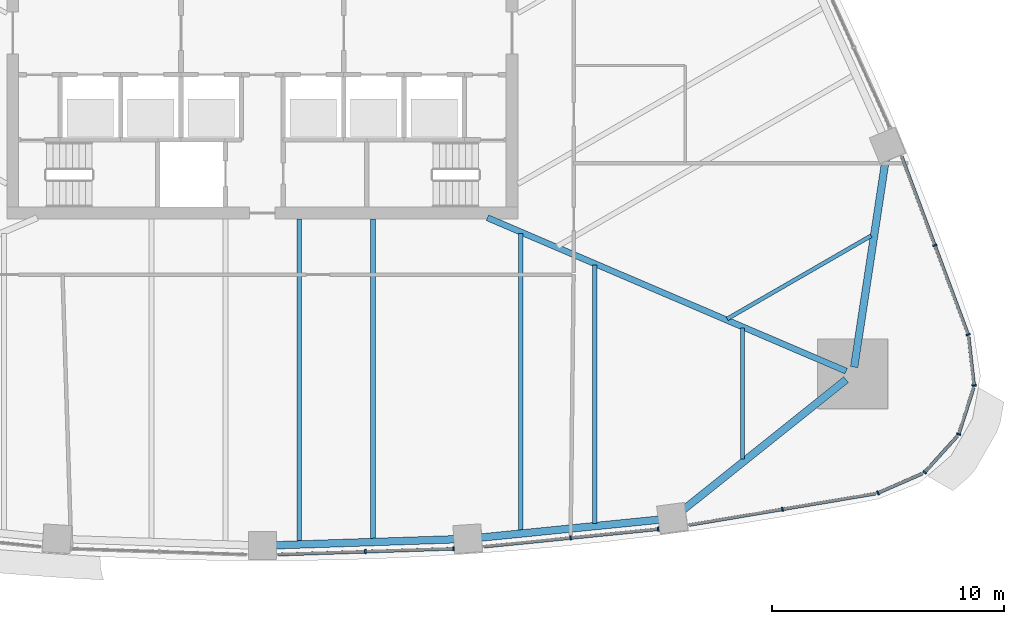
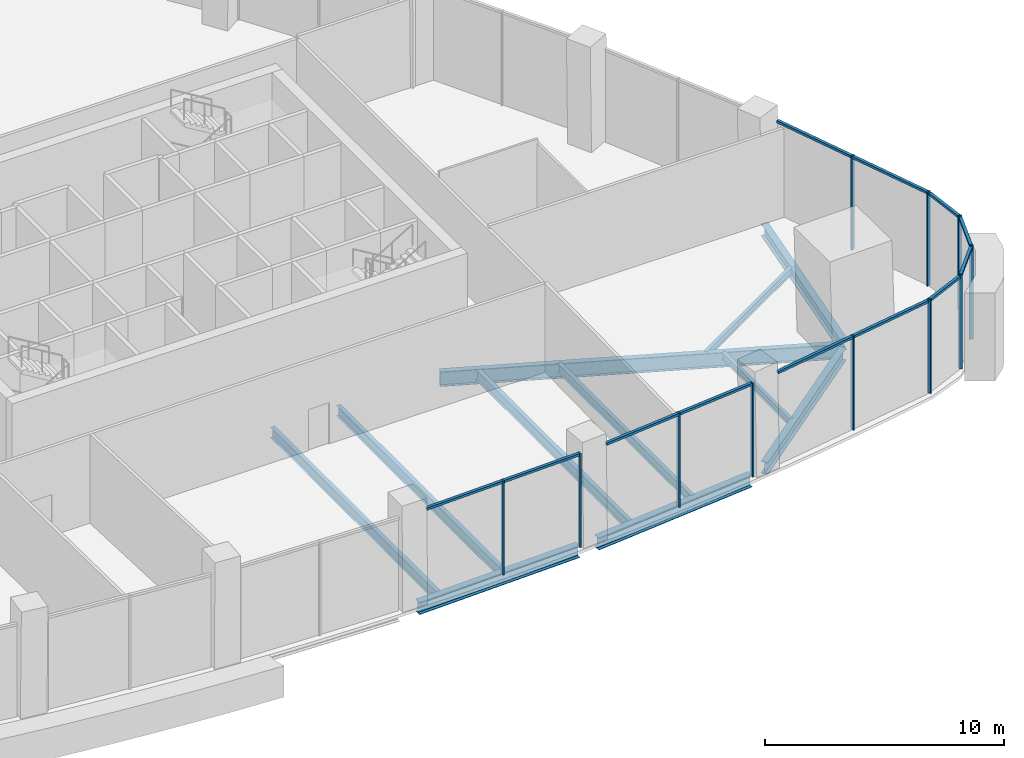
# One storey, part 4 of 16: 23 members, 11 beams, 8 elements without a shape of their own.
"""IFC4 building model written with IfcOpenShell, lengths in metres."""

from ifc_helpers import new_model, si_unit, direction, frame, origin, origin_2d, place, context, subcontext, project, spatial, rectangle, i_section, extrude, material, layer, layer_set, material_profile, profile_set, type_object, element, aggregate, save


model = new_model("IFC4")

# Units and contexts
model_context = context("Model", 3, precision=1e-05, world=origin(), true_north=direction((0.0, 1.0)))
body_context = subcontext(model_context, "Body", "Model", "MODEL_VIEW")
ifc_project = project(units=[si_unit("LENGTHUNIT", "METRE"), si_unit("AREAUNIT", "SQUARE_METRE"), si_unit("VOLUMEUNIT", "CUBIC_METRE"), si_unit("PLANEANGLEUNIT", "RADIAN"), si_unit("MASSUNIT", "GRAM", prefix="KILO")], contexts=[model_context])

# Site, building, storey
site_placement = place(None, origin())
site = spatial("IfcSite", under=ifc_project, at=site_placement, CompositionType="ELEMENT")
building_placement = place(site_placement, origin())
building = spatial("IfcBuilding", under=site, at=building_placement, Name="Sierra Prisma Convention Tower", CompositionType="ELEMENT")
storey_placement = place(building_placement, frame((0.0, 0.0, 107.199951171875)))
storey = spatial("IfcBuildingStorey", under=building, at=storey_placement, Name="L23", CompositionType="ELEMENT", Elevation=107.199951171875)

# Curtain wall, members
ifc_material_1 = material(Name="Aluminium and glass curtain wall", Category="aluminium")
ifc_layer = layer(ifc_material_1, 0.179931640625)
ifc_layer_set = layer_set([ifc_layer], Name="CW-1 Plain shaft curtain wall")
curtain_wall_type = type_object("IfcCurtainWallType", Name="CW-1 Plain shaft curtain wall", PredefinedType="NOTDEFINED", material=ifc_layer_set)
curtain_wall_1_placement = place(storey_placement, origin())
curtain_wall_1 = element("IfcCurtainWall", 1, at=curtain_wall_1_placement, inside=storey, type_object=curtain_wall_type, Name="CW-1 S4 L23", PredefinedType="NOTDEFINED")
ifc_material_2 = material(Name="Aluminium 6063-T6 bronze anodised", Category="aluminium")
ifc_material_profile_1 = material_profile(ifc_material_2, rectangle(XDim=0.179931640625, YDim=0.070068359375, at=origin_2d()), Name="ALU MULLION 70x180")
ifc_profile_set_1 = profile_set([ifc_material_profile_1], Name="Aluminium 6063-T6 bronze anodised")
member_type_1 = type_object("IfcMemberType", Name="CW mullion bronze", PredefinedType="MULLION", material=ifc_profile_set_1)
member_1_placement = place(storey_placement, frame((4.432373046875, -22.324951171875, 0.0), z_axis=(0.0, 0.0, 1.0), x_axis=(-0.033340842002, 0.999444039581, 0.0)))
member_1 = element("IfcMember", 2, at=member_1_placement, type_object=member_type_1, Name="CW-1 mullion S4.2", PredefinedType="MULLION", context=body_context, shape_type="SweptSolid", body=[
    extrude(rectangle(XDim=0.179931640625, YDim=0.070068359375, at=origin_2d()), origin(), (0.0, 0.0, 1.0), 4.800048828125),
])
member_2_placement = place(storey_placement, frame((8.22998046875, -22.1982421875, 0.0), z_axis=(0.0, 0.0, 1.0), x_axis=(-0.033340842002, 0.999444039581, 0.0)))
member_2 = element("IfcMember", 3, at=member_2_placement, type_object=member_type_1, Name="CW-1 mullion S4.3", PredefinedType="MULLION", context=body_context, shape_type="SweptSolid", body=[
    extrude(rectangle(XDim=0.179931640625, YDim=0.070068359375, at=origin_2d()), origin(), (0.0, 0.0, 1.0), 4.800048828125),
])

curtain_wall_2_placement = place(storey_placement, origin())
curtain_wall_2 = element("IfcCurtainWall", 4, at=curtain_wall_2_placement, inside=storey, type_object=curtain_wall_type, Name="CW-1 S5 L23", PredefinedType="NOTDEFINED")
member_3_placement = place(storey_placement, frame((13.27392578125, -21.7353515625, 0.0), z_axis=(0.0, 0.0, 1.0), x_axis=(-0.09987427772, 0.995000064648, 0.0)))
member_3 = element("IfcMember", 5, at=member_3_placement, type_object=member_type_1, Name="CW-1 mullion S5.2", PredefinedType="MULLION", context=body_context, shape_type="SweptSolid", body=[
    extrude(rectangle(XDim=0.179931640625, YDim=0.070068359375, at=origin_2d()), origin(), (0.0, 0.0, 1.0), 4.800048828125),
])
member_4_placement = place(storey_placement, frame((17.03857421875, -21.357421875, 0.0), z_axis=(0.0, 0.0, 1.0), x_axis=(-0.09987427772, 0.995000064648, 0.0)))
member_4 = element("IfcMember", 6, at=member_4_placement, type_object=member_type_1, Name="CW-1 mullion S5.3", PredefinedType="MULLION", context=body_context, shape_type="SweptSolid", body=[
    extrude(rectangle(XDim=0.179931640625, YDim=0.070068359375, at=origin_2d()), origin(), (0.0, 0.0, 1.0), 4.800048828125),
])

# Curtain wall, member
curtain_wall_3_placement = place(storey_placement, origin())
curtain_wall_3 = element("IfcCurtainWall", 7, at=curtain_wall_3_placement, inside=storey, type_object=curtain_wall_type, Name="CW-1 S6 L23", PredefinedType="NOTDEFINED")
member_5_placement = place(storey_placement, frame((22.390625, -20.502685546875, 0.0), z_axis=(0.0, 0.0, 1.0), x_axis=(-0.16596362774, 0.986131874684, 0.0)))
member_5 = element("IfcMember", 8, at=member_5_placement, type_object=member_type_1, Name="CW-1 mullion S6.2", PredefinedType="MULLION", context=body_context, shape_type="SweptSolid", body=[
    extrude(rectangle(XDim=0.179931640625, YDim=0.070068359375, at=origin_2d()), origin(), (0.0, 0.0, 1.0), 4.800048828125),
])

curtain_wall_4_placement = place(storey_placement, origin())
curtain_wall_4 = element("IfcCurtainWall", 9, at=curtain_wall_4_placement, inside=storey, type_object=curtain_wall_type, Name="CW-1 SE1 L23", PredefinedType="NOTDEFINED")
member_6_placement = place(storey_placement, frame((26.50634765625, -19.801513671875, 0.0), z_axis=(0.0, 0.0, 1.0), x_axis=(-0.400315386935, 0.916377428238, 0.0)))
member_6 = element("IfcMember", 10, at=member_6_placement, type_object=member_type_1, Name="CW-1 mullion SE1.1", PredefinedType="MULLION", context=body_context, shape_type="SweptSolid", body=[
    extrude(rectangle(XDim=0.179931640625, YDim=0.070068359375, at=origin_2d()), origin(), (0.0, 0.0, 1.0), 4.800048828125),
])

curtain_wall_5_placement = place(storey_placement, origin())
curtain_wall_5 = element("IfcCurtainWall", 11, at=curtain_wall_5_placement, inside=storey, type_object=curtain_wall_type, Name="CW-1 SE2 L23", PredefinedType="NOTDEFINED")
member_7_placement = place(storey_placement, frame((28.514892578125, -18.908447265625, 0.0), z_axis=(0.0, 0.0, 1.0), x_axis=(-0.741577466527, 0.670867245541, 0.0)))
member_7 = element("IfcMember", 12, at=member_7_placement, type_object=member_type_1, Name="CW-1 mullion SE2.1", PredefinedType="MULLION", context=body_context, shape_type="SweptSolid", body=[
    extrude(rectangle(XDim=0.179931640625, YDim=0.070068359375, at=origin_2d()), origin(), (0.0, 0.0, 1.0), 4.800048828125),
])

curtain_wall_6_placement = place(storey_placement, origin())
curtain_wall_6 = element("IfcCurtainWall", 13, at=curtain_wall_6_placement, inside=storey, type_object=curtain_wall_type, Name="CW-1 SE3 L23", PredefinedType="NOTDEFINED")
member_8_placement = place(storey_placement, frame((29.978759765625, -17.268798828125, 0.0), z_axis=(0.0, 0.0, 1.0), x_axis=(-0.951776810469, 0.306791302116, 0.0)))
member_8 = element("IfcMember", 14, at=member_8_placement, type_object=member_type_1, Name="CW-1 mullion SE3.1", PredefinedType="MULLION", context=body_context, shape_type="SweptSolid", body=[
    extrude(rectangle(XDim=0.179931640625, YDim=0.070068359375, at=origin_2d()), origin(), (0.0, 0.0, 1.0), 4.800048828125),
])

curtain_wall_7_placement = place(storey_placement, origin())
curtain_wall_7 = element("IfcCurtainWall", 15, at=curtain_wall_7_placement, inside=storey, type_object=curtain_wall_type, Name="CW-1 SE4 L23", PredefinedType="NOTDEFINED")
member_9_placement = place(storey_placement, frame((30.639404296875, -15.17236328125, 0.0), z_axis=(0.0, 0.0, 1.0), x_axis=(-0.993763825776, -0.111505419508, 0.0)))
member_9 = element("IfcMember", 16, at=member_9_placement, type_object=member_type_1, Name="CW-1 mullion SE4.1", PredefinedType="MULLION", context=body_context, shape_type="SweptSolid", body=[
    extrude(rectangle(XDim=0.179931640625, YDim=0.070068359375, at=origin_2d()), origin(), (0.0, 0.0, 1.0), 4.800048828125),
])

# Curtain wall, members
curtain_wall_8_placement = place(storey_placement, origin())
curtain_wall_8 = element("IfcCurtainWall", 17, at=curtain_wall_8_placement, inside=storey, type_object=curtain_wall_type, Name="CW-1 NE1 L23", PredefinedType="NOTDEFINED")
member_10_placement = place(storey_placement, frame((30.3857421875, -12.987060546875, 0.0), z_axis=(0.0, 0.0, 1.0), x_axis=(-0.936997068828, -0.349337219615, 0.0)))
member_10 = element("IfcMember", 18, at=member_10_placement, type_object=member_type_1, Name="CW-1 mullion NE1.1", PredefinedType="MULLION", context=body_context, shape_type="SweptSolid", body=[
    extrude(rectangle(XDim=0.179931640625, YDim=0.070068359375, at=origin_2d()), origin(), (0.0, 0.0, 1.0), 4.800048828125),
])
member_11_placement = place(storey_placement, frame((28.951171875, -9.139404296875, 0.0), z_axis=(0.0, 0.0, 1.0), x_axis=(-0.936997068828, -0.349337219615, 0.0)))
member_11 = element("IfcMember", 19, at=member_11_placement, type_object=member_type_1, Name="CW-1 mullion NE1.2", PredefinedType="MULLION", context=body_context, shape_type="SweptSolid", body=[
    extrude(rectangle(XDim=0.179931640625, YDim=0.070068359375, at=origin_2d()), origin(), (0.0, 0.0, 1.0), 4.800048828125),
])

# Member
ifc_material_3 = material(Name="Aluminium 6063-T6 bronze anodised", Category="aluminium")
ifc_material_profile_2 = material_profile(ifc_material_3, rectangle(XDim=0.139892578125, YDim=0.1201171875, at=origin_2d()), Name="ALU TRANSOM 120x140")
ifc_profile_set_2 = profile_set([ifc_material_profile_2], Name="Aluminium 6063-T6 bronze anodised")
member_type_2 = type_object("IfcMemberType", Name="CW transom bronze", PredefinedType="USERDEFINED", material=ifc_profile_set_2)
member_12_placement = place(storey_placement, frame((0.669677734375, -22.450439453125, 4.739990234375), z_axis=(0.999444761664, 0.033319189395, 0.0), x_axis=(-0.033319189395, 0.999444761664, 0.0)))
member_12 = element("IfcMember", 20, at=member_12_placement, type_object=member_type_2, Name="CW-1 transom S4.1", ObjectType="TRANSOM", PredefinedType="USERDEFINED", context=body_context, shape_type="SweptSolid", body=[
    extrude(rectangle(XDim=0.139892578125, YDim=0.1201171875, at=origin_2d()), origin(), (0.0, 0.0, 1.0), 3.7294921875),
])

member_13_placement = place(storey_placement, frame((4.46728515625, -22.32373046875, 4.739990234375), z_axis=(0.999444834329, 0.033317009671, 0.0), x_axis=(-0.033317009671, 0.999444834329, 0.0)))
member_13 = element("IfcMember", 21, at=member_13_placement, type_object=member_type_2, Name="CW-1 transom S4.2", ObjectType="TRANSOM", PredefinedType="USERDEFINED", context=body_context, shape_type="SweptSolid", body=[
    extrude(rectangle(XDim=0.139892578125, YDim=0.1201171875, at=origin_2d()), origin(), (0.0, 0.0, 1.0), 3.729736328125),
])

aggregate(curtain_wall_1, [member_1, member_2, member_12, member_13])

member_14_placement = place(storey_placement, frame((9.5439453125, -22.10986328125, 4.739990234375), z_axis=(0.995001325848, 0.099861712188, 0.0), x_axis=(-0.099861712188, 0.995001325848, 0.0)))
member_14 = element("IfcMember", 22, at=member_14_placement, type_object=member_type_2, Name="CW-1 transom S5.1", ObjectType="TRANSOM", PredefinedType="USERDEFINED", context=body_context, shape_type="SweptSolid", body=[
    extrude(rectangle(XDim=0.139892578125, YDim=0.1201171875, at=origin_2d()), origin(), (0.0, 0.0, 1.0), 3.713623046875),
])

member_15_placement = place(storey_placement, frame((13.30859375, -21.73193359375, 4.739990234375), z_axis=(0.995001325848, 0.099861712188, 0.0), x_axis=(-0.099861712188, 0.995001325848, 0.0)))
member_15 = element("IfcMember", 23, at=member_15_placement, type_object=member_type_2, Name="CW-1 transom S5.2", ObjectType="TRANSOM", PredefinedType="USERDEFINED", context=body_context, shape_type="SweptSolid", body=[
    extrude(rectangle(XDim=0.139892578125, YDim=0.1201171875, at=origin_2d()), origin(), (0.0, 0.0, 1.0), 3.713623046875),
])

aggregate(curtain_wall_2, [member_3, member_4, member_14, member_15])

member_16_placement = place(storey_placement, frame((18.3759765625, -21.178466796875, 4.739990234375), z_axis=(0.986129456837, 0.165977993594, 0.0), x_axis=(-0.165977993594, 0.986129456837, 0.0)))
member_16 = element("IfcMember", 24, at=member_16_placement, type_object=member_type_2, Name="CW-1 transom S6.1", ObjectType="TRANSOM", PredefinedType="USERDEFINED", context=body_context, shape_type="SweptSolid", body=[
    extrude(rectangle(XDim=0.139892578125, YDim=0.1201171875, at=origin_2d()), origin(), (0.0, 0.0, 1.0), 4.0361328125),
])

member_17_placement = place(storey_placement, frame((22.425048828125, -20.496826171875, 4.739990234375), z_axis=(0.986139355539, 0.165919171456, 0.0), x_axis=(-0.165919171456, 0.986139355539, 0.0)))
member_17 = element("IfcMember", 25, at=member_17_placement, type_object=member_type_2, Name="CW-1 transom S6.2", ObjectType="TRANSOM", PredefinedType="USERDEFINED", context=body_context, shape_type="SweptSolid", body=[
    extrude(rectangle(XDim=0.139892578125, YDim=0.1201171875, at=origin_2d()), origin(), (0.0, 0.0, 1.0), 4.0361328125),
])

aggregate(curtain_wall_3, [member_5, member_16, member_17])

member_18_placement = place(storey_placement, frame((26.53857421875, -19.787353515625, 4.739990234375), z_axis=(0.916396419408, 0.400271910701, 0.0), x_axis=(-0.400271910701, 0.916396419408, 0.0)))
member_18 = element("IfcMember", 26, at=member_18_placement, type_object=member_type_2, Name="CW-1 transom SE1.1", ObjectType="TRANSOM", PredefinedType="USERDEFINED", context=body_context, shape_type="SweptSolid", body=[
    extrude(rectangle(XDim=0.139892578125, YDim=0.1201171875, at=origin_2d()), origin(), (0.0, 0.0, 1.0), 2.06103515625),
])

aggregate(curtain_wall_4, [member_6, member_18])

member_19_placement = place(storey_placement, frame((28.538330078125, -18.88232421875, 4.739990234375), z_axis=(0.670925730571, 0.741524553915, 0.0), x_axis=(-0.741524553915, 0.670925730571, 0.0)))
member_19 = element("IfcMember", 27, at=member_19_placement, type_object=member_type_2, Name="CW-1 transom SE2.1", ObjectType="TRANSOM", PredefinedType="USERDEFINED", context=body_context, shape_type="SweptSolid", body=[
    extrude(rectangle(XDim=0.139892578125, YDim=0.1201171875, at=origin_2d()), origin(), (0.0, 0.0, 1.0), 2.06103515625),
])

aggregate(curtain_wall_5, [member_7, member_19])

member_20_placement = place(storey_placement, frame((29.989501953125, -17.2353515625, 4.739990234375), z_axis=(0.306795115776, 0.951775581183, 0.0), x_axis=(-0.951775581183, 0.306795115776, 0.0)))
member_20 = element("IfcMember", 28, at=member_20_placement, type_object=member_type_2, Name="CW-1 transom SE3.1", ObjectType="TRANSOM", PredefinedType="USERDEFINED", context=body_context, shape_type="SweptSolid", body=[
    extrude(rectangle(XDim=0.139892578125, YDim=0.1201171875, at=origin_2d()), origin(), (0.0, 0.0, 1.0), 2.06103515625),
])

aggregate(curtain_wall_6, [member_8, member_20])

member_21_placement = place(storey_placement, frame((30.635498046875, -15.137451171875, 4.739990234375), z_axis=(-0.111471609175, 0.993767618887, 0.0), x_axis=(-0.993767618887, -0.111471609175, 0.0)))
member_21 = element("IfcMember", 29, at=member_21_placement, type_object=member_type_2, Name="CW-1 transom SE4.1", ObjectType="TRANSOM", PredefinedType="USERDEFINED", context=body_context, shape_type="SweptSolid", body=[
    extrude(rectangle(XDim=0.139892578125, YDim=0.1201171875, at=origin_2d()), origin(), (0.0, 0.0, 1.0), 2.06103515625),
])

aggregate(curtain_wall_7, [member_9, member_21])

member_22_placement = place(storey_placement, frame((30.37353515625, -12.9541015625, 4.739990234375), z_axis=(-0.34938604961, 0.936978862268, 0.0), x_axis=(-0.936978862268, -0.34938604961, 0.0)))
member_22 = element("IfcMember", 30, at=member_22_placement, type_object=member_type_2, Name="CW-1 transom NE1.1", ObjectType="TRANSOM", PredefinedType="USERDEFINED", context=body_context, shape_type="SweptSolid", body=[
    extrude(rectangle(XDim=0.139892578125, YDim=0.1201171875, at=origin_2d()), origin(), (0.0, 0.0, 1.0), 4.0361328125),
])

member_23_placement = place(storey_placement, frame((28.93896484375, -9.106689453125, 4.739990234375), z_axis=(-0.349332942615, 0.936998663395, 0.0), x_axis=(-0.936998663395, -0.349332942615, 0.0)))
member_23 = element("IfcMember", 31, at=member_23_placement, type_object=member_type_2, Name="CW-1 transom NE1.2", ObjectType="TRANSOM", PredefinedType="USERDEFINED", context=body_context, shape_type="SweptSolid", body=[
    extrude(rectangle(XDim=0.139892578125, YDim=0.1201171875, at=origin_2d()), origin(), (0.0, 0.0, 1.0), 4.0361328125),
])

aggregate(curtain_wall_8, [member_10, member_11, member_22, member_23])

# Beams
ifc_material_4 = material(Name="Steel ASTM A992 Gr 50", Category="steel")
ifc_material_profile_3 = material_profile(ifc_material_4, i_section(OverallWidth=0.172119140625, OverallDepth=0.35791015625, WebThickness=0.0078125, FlangeThickness=0.01318359375, at=origin_2d()), Name="W360x57")
ifc_profile_set_3 = profile_set([ifc_material_profile_3], Name="Steel ASTM A992 Gr 50")
beam_type_1 = type_object("IfcBeamType", Name="Floor joist W360x57", PredefinedType="JOIST", material=ifc_profile_set_3)
beam_1_placement = place(storey_placement, frame((20.6650390625, -18.336181640625, -0.328857421875), z_axis=(0.0, 1.0, 0.0), x_axis=(-1.0, 0.0, 0.0)))
element("IfcBeam", 32, at=beam_1_placement, inside=storey, type_object=beam_type_1, Name="Floor joist L23 S15", PredefinedType="JOIST", context=body_context, shape_type="SweptSolid", body=[
    extrude(i_section(OverallWidth=0.172119140625, OverallDepth=0.35791015625, WebThickness=0.0078125, FlangeThickness=0.01318359375, at=origin_2d()), origin(), (0.0, 0.0, 1.0), 5.63330078125),
])
beam_2_placement = place(storey_placement, frame((26.2119140625, -8.728271484375, -0.328857421875), z_axis=(-0.866010118182, -0.500026474506, 0.0), x_axis=(0.500026474506, -0.866010118182, 0.0)))
element("IfcBeam", 33, at=beam_2_placement, inside=storey, type_object=beam_type_1, Name="Floor joist L23 NE02", PredefinedType="JOIST", context=body_context, shape_type="SweptSolid", body=[
    extrude(i_section(OverallWidth=0.172119140625, OverallDepth=0.35791015625, WebThickness=0.0078125, FlangeThickness=0.01318359375, at=origin_2d()), origin(), (0.0, 0.0, 1.0), 7.15966796875),
])
ifc_material_5 = material(Name="Steel ASTM A992 Gr 50", Category="steel")
ifc_material_profile_4 = material_profile(ifc_material_5, i_section(OverallWidth=0.18994140625, OverallDepth=0.45703125, WebThickness=0.009033203125, FlangeThickness=0.014404296875, at=origin_2d()), Name="W460x74")
ifc_profile_set_4 = profile_set([ifc_material_profile_4], Name="Steel ASTM A992 Gr 50")
beam_type_2 = type_object("IfcBeamType", Name="Floor joist W460x74", PredefinedType="JOIST", material=ifc_profile_set_4)
beam_3_placement = place(storey_placement, frame((14.306396484375, -21.11669921875, -0.37841796875), z_axis=(0.0, 1.0, 0.0), x_axis=(-1.0, 0.0, 0.0)))
element("IfcBeam", 34, at=beam_3_placement, inside=storey, type_object=beam_type_2, Name="Floor joist L23 S13", PredefinedType="JOIST", context=body_context, shape_type="SweptSolid", body=[
    extrude(i_section(OverallWidth=0.18994140625, OverallDepth=0.45703125, WebThickness=0.009033203125, FlangeThickness=0.014404296875, at=origin_2d()), origin(), (0.0, 0.0, 1.0), 11.13232421875),
])
ifc_material_6 = material(Name="Steel ASTM A992 Gr 50", Category="steel")
ifc_material_profile_5 = material_profile(ifc_material_6, i_section(OverallWidth=0.208984375, OverallDepth=0.532958984375, WebThickness=0.01025390625, FlangeThickness=0.015625, at=origin_2d()), Name="W530x92")
ifc_profile_set_5 = profile_set([ifc_material_profile_5], Name="Steel ASTM A992 Gr 50")
beam_type_3 = type_object("IfcBeamType", Name="Floor joist W530x92", PredefinedType="JOIST", material=ifc_profile_set_5)
beam_4_placement = place(storey_placement, frame((1.589599609375, -21.9072265625, -0.41650390625), z_axis=(0.0, 1.0, 0.0), x_axis=(-1.0, 0.0, 0.0)))
element("IfcBeam", 35, at=beam_4_placement, inside=storey, type_object=beam_type_3, Name="Floor joist L23 S09", PredefinedType="JOIST", context=body_context, shape_type="SweptSolid", body=[
    extrude(i_section(OverallWidth=0.208984375, OverallDepth=0.532958984375, WebThickness=0.01025390625, FlangeThickness=0.015625, at=origin_2d()), origin(), (0.0, 0.0, 1.0), 13.9072265625),
])
beam_5_placement = place(storey_placement, frame((4.768798828125, -21.80126953125, -0.41650390625), z_axis=(0.0, 1.0, 0.0), x_axis=(-1.0, 0.0, 0.0)))
element("IfcBeam", 36, at=beam_5_placement, inside=storey, type_object=beam_type_3, Name="Floor joist L23 S10", PredefinedType="JOIST", context=body_context, shape_type="SweptSolid", body=[
    extrude(i_section(OverallWidth=0.208984375, OverallDepth=0.532958984375, WebThickness=0.01025390625, FlangeThickness=0.015625, at=origin_2d()), origin(), (0.0, 0.0, 1.0), 13.80126953125),
])
beam_6_placement = place(storey_placement, frame((11.127197265625, -21.435791015625, -0.41650390625), z_axis=(0.0, 1.0, 0.0), x_axis=(-1.0, 0.0, 0.0)))
element("IfcBeam", 37, at=beam_6_placement, inside=storey, type_object=beam_type_3, Name="Floor joist L23 S12", PredefinedType="JOIST", context=body_context, shape_type="SweptSolid", body=[
    extrude(i_section(OverallWidth=0.208984375, OverallDepth=0.532958984375, WebThickness=0.01025390625, FlangeThickness=0.015625, at=origin_2d()), origin(), (0.0, 0.0, 1.0), 12.810791015625),
])
ifc_material_7 = material(Name="Steel ASTM A992 Gr 50", Category="steel")
ifc_material_profile_6 = material_profile(ifc_material_7, i_section(OverallWidth=0.264892578125, OverallDepth=0.7529296875, WebThickness=0.01318359375, FlangeThickness=0.01708984375, at=origin_2d()), Name="W760x147")
ifc_profile_set_6 = profile_set([ifc_material_profile_6], Name="Steel ASTM A992 Gr 50")
beam_type_4 = type_object("IfcBeamType", Name="Radial girder W760x147", PredefinedType="BEAM", material=ifc_profile_set_6)
beam_7_placement = place(storey_placement, frame((25.1337890625, -14.555908203125, -0.5263671875), z_axis=(-0.91948676355, 0.393120963135, 0.0), x_axis=(-0.393120963135, -0.91948676355, 0.0)))
element("IfcBeam", 38, at=beam_7_placement, inside=storey, type_object=beam_type_4, Name="Radial girder L23 SE", PredefinedType="BEAM", context=body_context, shape_type="SweptSolid", body=[
    extrude(i_section(OverallWidth=0.264892578125, OverallDepth=0.7529296875, WebThickness=0.01318359375, FlangeThickness=0.01708984375, at=origin_2d()), origin(), (0.0, 0.0, 1.0), 16.79638671875),
])
ifc_material_8 = material(Name="Steel ASTM A992 Gr 50", Category="steel")
ifc_material_profile_7 = material_profile(ifc_material_8, i_section(OverallWidth=0.324951171875, OverallDepth=0.615966796875, WebThickness=0.013916015625, FlangeThickness=0.021484375, at=origin_2d()), Name="W610x174")
ifc_profile_set_7 = profile_set([ifc_material_profile_7], Name="Steel ASTM A992 Gr 50")
beam_type_5 = type_object("IfcBeamType", Name="Spandrel beam W610x174", PredefinedType="BEAM", material=ifc_profile_set_7)
for number, where, z_axis, x_axis, name in (
    (39, (0.47998046875, -22.056884765625, -0.4580078125), (0.999444220343, 0.033335422943, 0.0), (-0.033335422943, 0.999444220343, 0.0), "Spandrel L23-04"),
    (40, (9.32861328125, -21.729736328125, -0.4580078125), (0.99499915212, 0.099883368391, 0.0), (-0.099883368391, 0.99499915212, 0.0), "Spandrel L23-05"),
):
    element("IfcBeam", number, at=place(storey_placement, frame(where, z_axis=z_axis, x_axis=x_axis)), inside=storey, type_object=beam_type_5, Name=name, PredefinedType="BEAM", context=body_context, shape_type="SweptSolid", body=[
        extrude(i_section(OverallWidth=0.324951171875, OverallDepth=0.615966796875, WebThickness=0.013916015625, FlangeThickness=0.021484375, at=origin_2d()), origin(), (0.0, 0.0, 1.0), 7.89501953125),
    ])
beam_8_placement = place(storey_placement, frame((18.114990234375, -20.53125, -0.4580078125), z_axis=(0.781282243446, 0.624177904187, 0.0), x_axis=(-0.624177904187, 0.781282243446, 0.0)))
element("IfcBeam", 41, at=beam_8_placement, inside=storey, type_object=beam_type_5, Name="Spandrel L23-06", PredefinedType="BEAM", context=body_context, shape_type="SweptSolid", body=[
    extrude(i_section(OverallWidth=0.324951171875, OverallDepth=0.615966796875, WebThickness=0.013916015625, FlangeThickness=0.021484375, at=origin_2d()), origin(), (0.0, 0.0, 1.0), 8.983642578125),
])
beam_9_placement = place(storey_placement, frame((25.479248046875, -14.38427734375, -0.4580078125), z_axis=(0.149915484535, 0.988698815361, 0.0), x_axis=(-0.988698815361, 0.149915484535, 0.0)))
element("IfcBeam", 42, at=beam_9_placement, inside=storey, type_object=beam_type_5, Name="Spandrel L23-07", PredefinedType="BEAM", context=body_context, shape_type="SweptSolid", body=[
    extrude(i_section(OverallWidth=0.324951171875, OverallDepth=0.615966796875, WebThickness=0.013916015625, FlangeThickness=0.021484375, at=origin_2d()), origin(), (0.0, 0.0, 1.0), 9.064453125),
])

save(model, "model.ifc")
